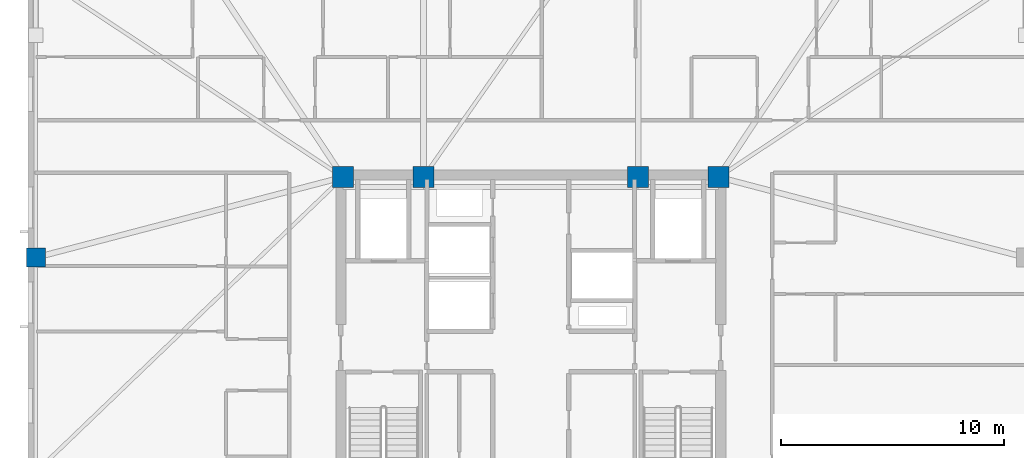
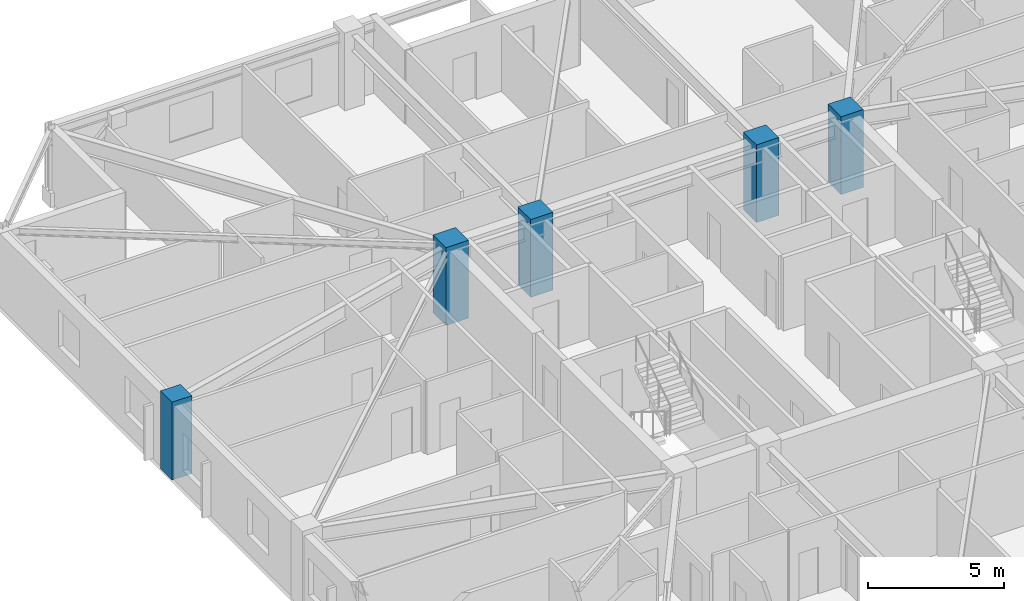
# One storey, part 2 of 17: 5 columns.
"""IFC4 building model written with IfcOpenShell, lengths in metres."""

from ifc_helpers import new_model, si_unit, direction, frame, origin, origin_2d, place, context, subcontext, project, spatial, rectangle, extrude, material, material_profile, profile_set, type_object, element, save


model = new_model("IFC4")

# Units and contexts
model_context = context("Model", 3, precision=1e-05, world=origin(), true_north=direction((0.0, 1.0)))
body_context = subcontext(model_context, "Body", "Model", "MODEL_VIEW")
ifc_project = project(units=[si_unit("LENGTHUNIT", "METRE"), si_unit("AREAUNIT", "SQUARE_METRE"), si_unit("VOLUMEUNIT", "CUBIC_METRE"), si_unit("PLANEANGLEUNIT", "RADIAN"), si_unit("MASSUNIT", "GRAM", prefix="KILO")], contexts=[model_context])

# Site, building, storey
site_placement = place(None, origin())
site = spatial("IfcSite", under=ifc_project, at=site_placement, CompositionType="ELEMENT")
building_placement = place(site_placement, origin())
building = spatial("IfcBuilding", under=site, at=building_placement, Name="Cairnveth Concourse Tower", CompositionType="ELEMENT")
storey_placement = place(building_placement, frame((0.0, 0.0, 209.5)))
storey = spatial("IfcBuildingStorey", under=building, at=storey_placement, Name="L57", CompositionType="ELEMENT", Elevation=209.5)

# Columns
ifc_material = material(Name="Concrete N65 (65 MPa)", Category="concrete")
ifc_material_profile_1 = material_profile(ifc_material, rectangle(XDim=0.949951171875, YDim=0.949951171875, at=origin_2d()), Name="RC-COL-950x950")
ifc_profile_set_1 = profile_set([ifc_material_profile_1], Name="Concrete N65 (65 MPa)")
column_type_1 = type_object("IfcColumnType", Name="CORE COLUMN 950X950", PredefinedType="COLUMN", material=ifc_profile_set_1)
for number, where, z_axis, x_axis, name in (
    (1, (43.60009765625, 47.39990234375, 0.0), (0.0, 0.0, 1.0), (1.0, 0.0, 0.0), "Column CC5 L57"),
    (2, (47.199951171875, 47.39990234375, 0.0), (0.0, 0.0, 1.0), (1.0, 0.0, 0.0), "Column CC6 L57"),
    (3, (56.800048828125, 47.39990234375, 0.0), (0.0, 0.0, 1.0), (1.0, 0.0, 0.0), "Column CC7 L57"),
    (4, (60.39990234375, 47.39990234375, 0.0), (0.0, 0.0, 1.0), (1.0, 0.0, 0.0), "Column CC8 L57"),
):
    element("IfcColumn", number, at=place(storey_placement, frame(where, z_axis=z_axis, x_axis=x_axis)), inside=storey, type_object=column_type_1, Name=name, PredefinedType="COLUMN", context=body_context, shape_type="SweptSolid", body=[
        extrude(rectangle(XDim=0.949951171875, YDim=0.949951171875, at=origin_2d()), origin(), (0.0, 0.0, 1.0), 3.5),
    ])
ifc_material_profile_2 = material_profile(ifc_material, rectangle(XDim=0.85009765625, YDim=0.85009765625, at=origin_2d()), Name="RC-COL-850x850")
ifc_profile_set_2 = profile_set([ifc_material_profile_2], Name="Concrete N65 (65 MPa)")
column_type_2 = type_object("IfcColumnType", Name="PERIMETER PIER COLUMN 850X850", PredefinedType="COLUMN", material=ifc_profile_set_2)
column_placement = place(storey_placement, frame((29.85009765625, 43.800048828125, 0.0), z_axis=(0.0, 0.0, 1.0), x_axis=(0.0, 1.0, 0.0)))
element("IfcColumn", 5, at=column_placement, inside=storey, type_object=column_type_2, Name="Column P-W2 L57", PredefinedType="COLUMN", context=body_context, shape_type="SweptSolid", body=[
    extrude(rectangle(XDim=0.85009765625, YDim=0.85009765625, at=origin_2d()), origin(), (0.0, 0.0, 1.0), 3.5),
])

save(model, "model.ifc")
